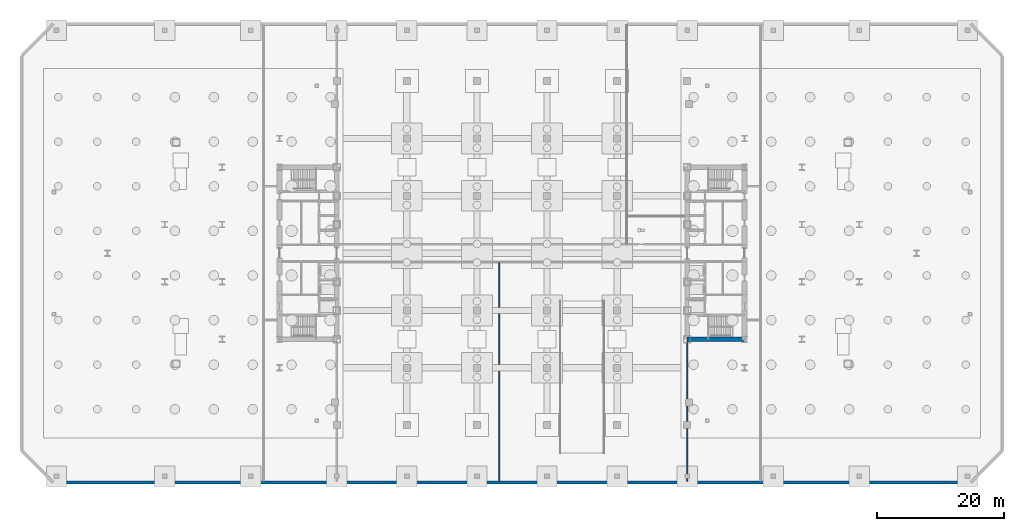
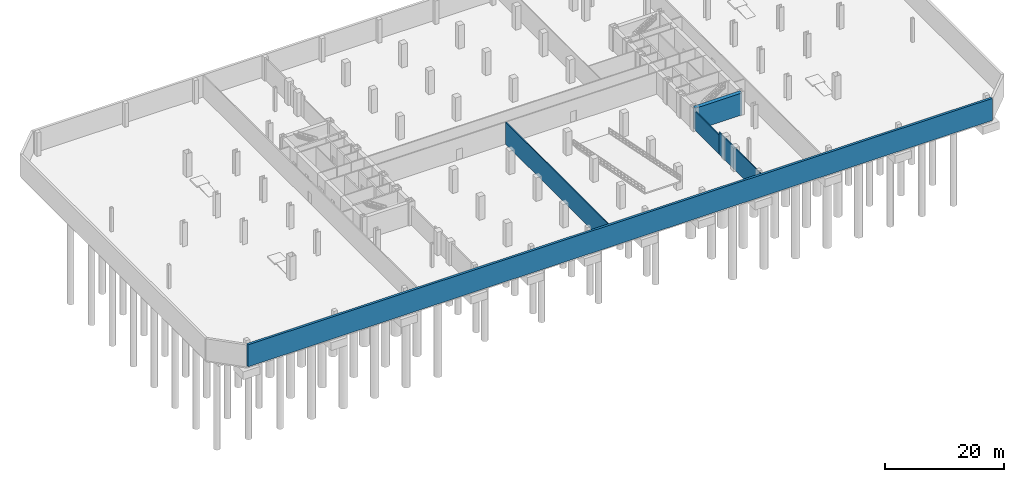
# One storey, part 12 of 18: 5 walls.
"""IFC4 building model written with IfcOpenShell, lengths in metres."""

from ifc_helpers import new_model, si_unit, direction, frame, frame_2d, origin, place, context, subcontext, project, spatial, rectangle, extrude, material, layer, layer_set, type_object, element, save


model = new_model("IFC4")

# Units and contexts
model_context = context("Model", 3, precision=1e-05, world=origin(), true_north=direction((0.0, 1.0)))
body_context = subcontext(model_context, "Body", "Model", "MODEL_VIEW")
ifc_project = project(units=[si_unit("LENGTHUNIT", "METRE"), si_unit("AREAUNIT", "SQUARE_METRE"), si_unit("VOLUMEUNIT", "CUBIC_METRE"), si_unit("PLANEANGLEUNIT", "RADIAN"), si_unit("MASSUNIT", "GRAM", prefix="KILO")], contexts=[model_context])

# Site, building, storey
site_placement = place(None, origin())
site = spatial("IfcSite", under=ifc_project, at=site_placement, CompositionType="ELEMENT")
building_placement = place(site_placement, origin())
building = spatial("IfcBuilding", under=site, at=building_placement, Name="Seokmaru Belvedere", CompositionType="ELEMENT")
storey_placement = place(building_placement, frame((0.0, 0.0, -9.60009765625)))
storey = spatial("IfcBuildingStorey", under=building, at=storey_placement, Name="B2", CompositionType="ELEMENT", Elevation=-9.60009765625)

# Walls
ifc_material_1 = material(Name="Concrete C50 (50 MPa)", Category="concrete")
ifc_layer_1 = layer(ifc_material_1, 0.449951171875)
ifc_layer_set_1 = layer_set([ifc_layer_1], Name="Concrete C50 (50 MPa)")
wall_type_1 = type_object("IfcWallType", Name="Basement Perimeter Retaining Wall 450", PredefinedType="USERDEFINED", material=ifc_layer_set_1)
wall_1_placement = place(storey_placement, frame((-71.9599609375, -36.0, 0.0), z_axis=(0.0, 0.0, 1.0), x_axis=(1.0, 0.0, 0.0)))
element("IfcWall", 1, at=wall_1_placement, inside=storey, type_object=wall_type_1, Name="B2 Perimeter Retaining Wall 1", ObjectType="RETAININGWALL", PredefinedType="USERDEFINED", context=body_context, shape_type="SweptSolid", body=[
    extrude(rectangle(XDim=143.919921875, YDim=0.449951171875, at=frame_2d((71.9599609375, 0.0))), origin(), (0.0, 0.0, 1.0), 4.5),
])
ifc_material_2 = material(Name="Fire-Rated Gypsum Shaftwall")
ifc_layer_2 = layer(ifc_material_2, 0.199951171875)
ifc_layer_set_2 = layer_set([ifc_layer_2], Name="Fire-Rated Gypsum Shaftwall")
wall_type_2 = type_object("IfcWallType", Name="Inter-Tenancy Fire Compartment Partition 200", PredefinedType="PARTITIONING", material=ifc_layer_set_2)
wall_2_placement = place(storey_placement, frame((-2.0, -35.77001953125, 0.0), z_axis=(0.0, 0.0, 1.0), x_axis=(0.0, 1.0, 0.0)))
element("IfcWall", 2, at=wall_2_placement, inside=storey, type_object=wall_type_2, Name="B2 Interior Partition 011", PredefinedType="PARTITIONING", context=body_context, shape_type="SweptSolid", body=[
    extrude(rectangle(XDim=34.284912109375, YDim=0.199951171875, at=frame_2d((17.142578125, 0.0))), origin(), (0.0, 0.0, 1.0), 4.5),
])
wall_3_placement = place(storey_placement, frame((27.5, -35.77001953125, 0.0), z_axis=(0.0, 0.0, 1.0), x_axis=(0.0, 1.0, 0.0)))
element("IfcWall", 3, at=wall_3_placement, inside=storey, type_object=wall_type_2, Name="B2 Interior Partition 013", PredefinedType="PARTITIONING", context=body_context, shape_type="SweptSolid", body=[
    extrude(rectangle(XDim=13.95751953125, YDim=0.199951171875, at=frame_2d((6.978759765625, 0.0))), origin(), (0.0, 0.0, 1.0), 4.5),
])
wall_4_placement = place(storey_placement, frame((27.5, -21.8125, 0.0), z_axis=(0.0, 0.0, 1.0), x_axis=(0.0, 1.0, 0.0)))
element("IfcWall", 4, at=wall_4_placement, inside=storey, type_object=wall_type_2, Name="B2 Interior Partition 013 Part 2", PredefinedType="PARTITIONING", context=body_context, shape_type="SweptSolid", body=[
    extrude(rectangle(XDim=7.9326171875, YDim=0.199951171875, at=frame_2d((3.96630859375, 0.0))), origin(), (0.0, 0.0, 1.0), 3.912109375),
])
ifc_material_3 = material(Name="Concrete C60 (60 MPa)", Category="concrete")
ifc_layer_3 = layer(ifc_material_3, 0.75)
ifc_layer_set_3 = layer_set([ifc_layer_3], Name="Concrete C60 (60 MPa)")
wall_type_3 = type_object("IfcWallType", Name="Lower Tower Reinforced Concrete Core Wall 750", PredefinedType="SHEAR", material=ifc_layer_set_3)
wall_5_placement = place(storey_placement, frame((27.5, -13.5, 0.0), z_axis=(0.0, 0.0, 1.0), x_axis=(1.0, 0.0, 0.0)))
element("IfcWall", 5, at=wall_5_placement, inside=storey, type_object=wall_type_3, Name="B2 East South Core Wall", PredefinedType="SHEAR", context=body_context, shape_type="SweptSolid", body=[
    extrude(rectangle(XDim=9.0, YDim=0.75, at=frame_2d((4.5, 0.0))), origin(), (0.0, 0.0, 1.0), 4.5),
])

save(model, "model.ifc")
